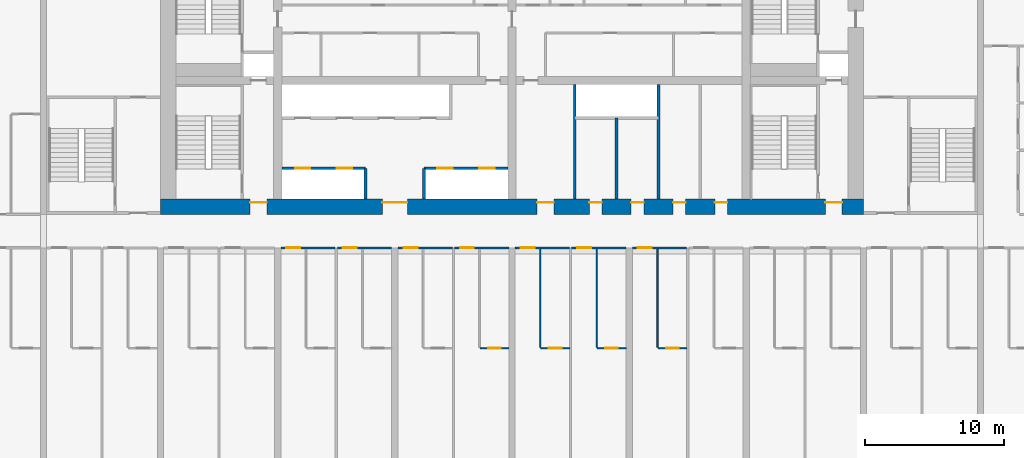
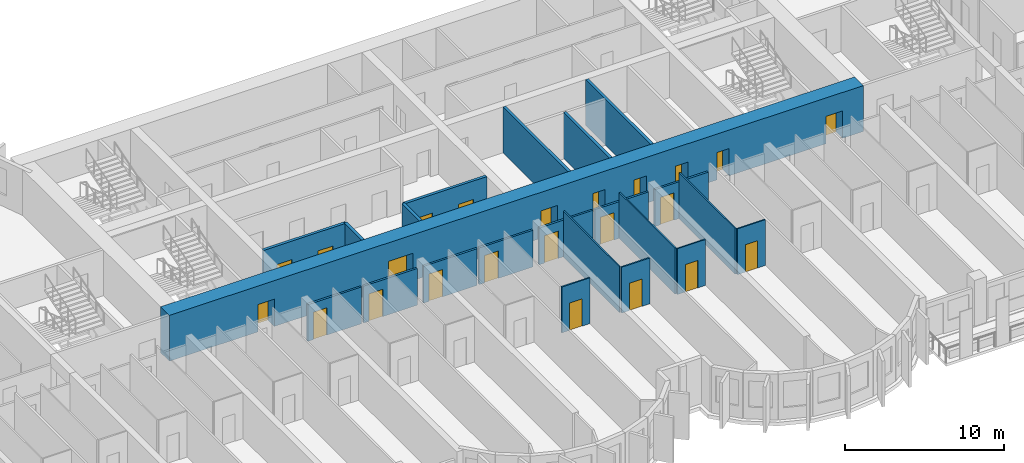
# One storey, part 5 of 15: 23 doors, 22 walls, 23 openings.
"""IFC4 building model written with IfcOpenShell, lengths in metres."""

from ifc_helpers import new_model, si_unit, direction, frame, frame_2d, origin, place, context, subcontext, project, spatial, rectangle, extrude, source, transform, mapped, material, layer, layer_set, type_object, element, fill, save


model = new_model("IFC4")

# Units and contexts
model_context = context("Model", 3, precision=1e-05, world=origin(), true_north=direction((0.0, 1.0)))
body_context = subcontext(model_context, "Body", "Model", "MODEL_VIEW")
ifc_project = project(units=[si_unit("LENGTHUNIT", "METRE"), si_unit("AREAUNIT", "SQUARE_METRE"), si_unit("VOLUMEUNIT", "CUBIC_METRE"), si_unit("PLANEANGLEUNIT", "RADIAN"), si_unit("MASSUNIT", "GRAM", prefix="KILO")], contexts=[model_context])

# Site, building, storey
site_placement = place(None, origin())
site = spatial("IfcSite", under=ifc_project, at=site_placement, CompositionType="ELEMENT")
building_placement = place(site_placement, origin())
building = spatial("IfcBuilding", under=site, at=building_placement, Name="Vanashikhar Sky Hotel", CompositionType="ELEMENT")
storey_placement = place(building_placement, frame((0.0, 0.0, 35.39990234375)))
storey = spatial("IfcBuildingStorey", under=building, at=storey_placement, Name="L07", CompositionType="ELEMENT", Elevation=35.39990234375)

# Wall, openings, doors
ifc_material_1 = material(Name="Concrete M80", Category="concrete")
ifc_layer_1 = layer(ifc_material_1, 1.10009765625)
ifc_layer_set_1 = layer_set([ifc_layer_1], Name="RC core shell wall 1100 Concrete M80")
wall_type_1 = type_object("IfcWallType", Name="RC core shell wall 1100 Concrete M80", PredefinedType="SHEAR", material=ifc_layer_set_1)
shared_shape_1 = source(origin(), body_context, "Body", "SweptSolid", [
    extrude(rectangle(XDim=50.400146484375, YDim=1.10009765625, at=frame_2d((25.2001953125, 0.0))), origin(), (0.0, 0.0, 1.0), 3.52001953125),
])
wall_1_placement = place(storey_placement, frame((25.199951171875, 22.550048828125, 0.0), z_axis=(0.0, 0.0, 1.0), x_axis=(1.0, 0.0, 0.0)))
wall_1 = element("IfcWall", 1, at=wall_1_placement, inside=storey, type_object=wall_type_1, Name="KW-L07-KS", PredefinedType="SHEAR", context=body_context, shape_type="MappedRepresentation", body=[
    mapped(shared_shape_1, transform((0.0, 0.0, 0.0), scale=1.0)),
])
shared_shape_2 = source(origin(), body_context, "Body", "SweptSolid", [
    extrude(rectangle(XDim=1.800048828125, YDim=2.10009765625, at=frame_2d((0.89990234375, 1.050048828125))), frame((0.0, 0.56005859375, 0.0), z_axis=(0.0, -1.0, 0.0), x_axis=(1.0, 0.0, 0.0)), (0.0, 0.0, 1.0), 1.1201171875),
])
opening_1_placement = place(wall_1_placement, frame((15.89990234375, 0.0, 0.0)))
opening_1 = element("IfcOpeningElement", 2, at=opening_1_placement, cuts=wall_1, Name="Opening DC-3-A", PredefinedType="OPENING", context=body_context, shape_type="MappedRepresentation", body=[
    mapped(shared_shape_2, transform((0.0, 0.0, 0.0), scale=1.0)),
])
shared_shape_3 = source(origin(), body_context, "Body", "SweptSolid", [
    extrude(rectangle(XDim=1.199951171875, YDim=2.10009765625, at=frame_2d((0.60009765625, 1.050048828125))), frame((0.0, 0.56005859375, 0.0), z_axis=(0.0, -1.0, 0.0), x_axis=(1.0, 0.0, 0.0)), (0.0, 0.0, 1.0), 1.1201171875),
])
opening_2_placement = place(wall_1_placement, frame((27.0, 0.0, 0.0)))
opening_2 = element("IfcOpeningElement", 3, at=opening_2_placement, cuts=wall_1, Name="Opening DC-4-B", PredefinedType="OPENING", context=body_context, shape_type="MappedRepresentation", body=[
    mapped(shared_shape_3, transform((0.0, 0.0, 0.0), scale=1.0)),
])
shared_shape_4 = source(origin(), body_context, "Body", "SweptSolid", [
    extrude(rectangle(XDim=0.89990234375, YDim=2.10009765625, at=frame_2d((0.449951171875, 1.050048828125))), frame((0.0, 0.56005859375, 0.0), z_axis=(0.0, -1.0, 0.0), x_axis=(1.0, 0.0, 0.0)), (0.0, 0.0, 1.0), 1.1201171875),
])
opening_3_placement = place(wall_1_placement, frame((33.75, 0.0, 0.0)))
opening_3 = element("IfcOpeningElement", 4, at=opening_3_placement, cuts=wall_1, Name="Opening DC-4-A", PredefinedType="OPENING", context=body_context, shape_type="MappedRepresentation", body=[
    mapped(shared_shape_4, transform((0.0, 0.0, 0.0), scale=1.0)),
])
opening_4_placement = place(wall_1_placement, frame((30.75, 0.0, 0.0)))
opening_4 = element("IfcOpeningElement", 5, at=opening_4_placement, cuts=wall_1, Name="Opening DC-4-A", PredefinedType="OPENING", context=body_context, shape_type="MappedRepresentation", body=[
    mapped(shared_shape_4, transform((0.0, 0.0, 0.0), scale=1.0)),
])
opening_5_placement = place(wall_1_placement, frame((39.75, 0.0, 0.0)))
opening_5 = element("IfcOpeningElement", 6, at=opening_5_placement, cuts=wall_1, Name="Opening DC-4-A", PredefinedType="OPENING", context=body_context, shape_type="MappedRepresentation", body=[
    mapped(shared_shape_4, transform((0.0, 0.0, 0.0), scale=1.0)),
])
opening_6_placement = place(wall_1_placement, frame((36.75, 0.0, 0.0)))
opening_6 = element("IfcOpeningElement", 7, at=opening_6_placement, cuts=wall_1, Name="Opening DC-4-A", PredefinedType="OPENING", context=body_context, shape_type="MappedRepresentation", body=[
    mapped(shared_shape_4, transform((0.0, 0.0, 0.0), scale=1.0)),
])
opening_7_placement = place(wall_1_placement, frame((6.425048828125, 0.0, 0.0)))
opening_7 = element("IfcOpeningElement", 8, at=opening_7_placement, cuts=wall_1, Name="Opening DC-2", PredefinedType="OPENING", context=body_context, shape_type="MappedRepresentation", body=[
    mapped(shared_shape_3, transform((0.0, 0.0, 0.0), scale=1.0)),
])
opening_8_placement = place(wall_1_placement, frame((47.675048828125, 0.0, 0.0)))
opening_8 = element("IfcOpeningElement", 9, at=opening_8_placement, cuts=wall_1, Name="Opening DC-2", PredefinedType="OPENING", context=body_context, shape_type="MappedRepresentation", body=[
    mapped(shared_shape_3, transform((0.0, 0.0, 0.0), scale=1.0)),
])
ifc_material_2 = material(Name="Glass", Category="glass")
door_type_1 = type_object("IfcDoorType", Name="Lift lobby entrance door 1800 FD30S", OperationType="NOTDEFINED", PredefinedType="DOOR", material=ifc_material_2)
shared_shape_5 = source(origin(), body_context, "Body", "SweptSolid", [
    extrude(rectangle(XDim=1.800048828125, YDim=2.10009765625, at=frame_2d((0.89990234375, 1.050048828125))), frame((0.0, 0.3251953125, 0.0), z_axis=(0.0, -1.0, 0.0), x_axis=(1.0, 0.0, 0.0)), (0.0, 0.0, 1.0), 0.050048828125),
])
door_1_placement = place(opening_1_placement, origin())
door_1 = element("IfcDoor", 10, at=door_1_placement, inside=storey, type_object=door_type_1, Name="Lift lobby entrance door 1800 FD30S", OperationType="DOUBLE_DOOR_SINGLE_SWING", OverallHeight=2.10009765625, OverallWidth=1.800048828125, PredefinedType="DOOR", context=body_context, shape_type="MappedRepresentation", body=[
    mapped(shared_shape_5, transform((0.0, 0.0, 0.0), scale=1.0)),
])
fill(opening_1, door_1)
ifc_material_3 = material(Name="Steel", Category="steel")
door_type_2 = type_object("IfcDoorType", Name="Service door 1200 FD60", OperationType="NOTDEFINED", PredefinedType="DOOR", material=ifc_material_3)
shared_shape_6 = source(origin(), body_context, "Body", "SweptSolid", [
    extrude(rectangle(XDim=1.199951171875, YDim=2.10009765625, at=frame_2d((0.60009765625, 1.050048828125))), frame((0.0, 0.3251953125, 0.0), z_axis=(0.0, -1.0, 0.0), x_axis=(1.0, 0.0, 0.0)), (0.0, 0.0, 1.0), 0.050048828125),
])
door_2_placement = place(opening_2_placement, origin())
door_2 = element("IfcDoor", 11, at=door_2_placement, inside=storey, type_object=door_type_2, Name="Service door 1200 FD60", OperationType="SINGLE_SWING_RIGHT", OverallHeight=2.10009765625, OverallWidth=1.199951171875, PredefinedType="DOOR", context=body_context, shape_type="MappedRepresentation", body=[
    mapped(shared_shape_6, transform((0.0, 0.0, 0.0), scale=1.0)),
])
fill(opening_2, door_2)
door_type_3 = type_object("IfcDoorType", Name="Firefighting lobby door 1200 FD120", OperationType="NOTDEFINED", PredefinedType="DOOR", material=ifc_material_3)
door_3_placement = place(opening_7_placement, origin())
door_3 = element("IfcDoor", 12, at=door_3_placement, inside=storey, type_object=door_type_3, Name="Firefighting lobby door 1200 FD120", OperationType="SINGLE_SWING_LEFT", OverallHeight=2.10009765625, OverallWidth=1.199951171875, PredefinedType="DOOR", context=body_context, shape_type="MappedRepresentation", body=[
    mapped(shared_shape_6, transform((0.0, 0.0, 0.0), scale=1.0)),
])
fill(opening_7, door_3)
door_4_placement = place(opening_8_placement, origin())
door_4 = element("IfcDoor", 13, at=door_4_placement, inside=storey, type_object=door_type_3, Name="Firefighting lobby door 1200 FD120", OperationType="SINGLE_SWING_RIGHT", OverallHeight=2.10009765625, OverallWidth=1.199951171875, PredefinedType="DOOR", context=body_context, shape_type="MappedRepresentation", body=[
    mapped(shared_shape_6, transform((0.0, 0.0, 0.0), scale=1.0)),
])
fill(opening_8, door_4)
door_type_4 = type_object("IfcDoorType", Name="Service door 900 FD60", OperationType="NOTDEFINED", PredefinedType="DOOR", material=ifc_material_3)
shared_shape_7 = source(origin(), body_context, "Body", "SweptSolid", [
    extrude(rectangle(XDim=0.89990234375, YDim=2.10009765625, at=frame_2d((0.449951171875, 1.050048828125))), frame((0.0, 0.3251953125, 0.0), z_axis=(0.0, -1.0, 0.0), x_axis=(1.0, 0.0, 0.0)), (0.0, 0.0, 1.0), 0.050048828125),
])
door_5_placement = place(opening_3_placement, origin())
door_5 = element("IfcDoor", 14, at=door_5_placement, inside=storey, type_object=door_type_4, Name="Service door 900 FD60", OperationType="SINGLE_SWING_RIGHT", OverallHeight=2.10009765625, OverallWidth=0.89990234375, PredefinedType="DOOR", context=body_context, shape_type="MappedRepresentation", body=[
    mapped(shared_shape_7, transform((0.0, 0.0, 0.0), scale=1.0)),
])
fill(opening_3, door_5)
door_6_placement = place(opening_4_placement, origin())
door_6 = element("IfcDoor", 15, at=door_6_placement, inside=storey, type_object=door_type_4, Name="Service door 900 FD60", OperationType="SINGLE_SWING_LEFT", OverallHeight=2.10009765625, OverallWidth=0.89990234375, PredefinedType="DOOR", context=body_context, shape_type="MappedRepresentation", body=[
    mapped(shared_shape_7, transform((0.0, 0.0, 0.0), scale=1.0)),
])
fill(opening_4, door_6)
door_7_placement = place(opening_5_placement, origin())
door_7 = element("IfcDoor", 16, at=door_7_placement, inside=storey, type_object=door_type_4, Name="Service door 900 FD60", OperationType="SINGLE_SWING_RIGHT", OverallHeight=2.10009765625, OverallWidth=0.89990234375, PredefinedType="DOOR", context=body_context, shape_type="MappedRepresentation", body=[
    mapped(shared_shape_7, transform((0.0, 0.0, 0.0), scale=1.0)),
])
fill(opening_5, door_7)
door_8_placement = place(opening_6_placement, origin())
door_8 = element("IfcDoor", 17, at=door_8_placement, inside=storey, type_object=door_type_4, Name="Service door 900 FD60", OperationType="SINGLE_SWING_LEFT", OverallHeight=2.10009765625, OverallWidth=0.89990234375, PredefinedType="DOOR", context=body_context, shape_type="MappedRepresentation", body=[
    mapped(shared_shape_7, transform((0.0, 0.0, 0.0), scale=1.0)),
])
fill(opening_6, door_8)

ifc_material_4 = material(Name="Concrete M40", Category="concrete")
ifc_layer_2 = layer(ifc_material_4, 0.199951171875)
ifc_layer_set_2 = layer_set([ifc_layer_2], Name="Shaft wall 200")
wall_type_2 = type_object("IfcWallType", Name="Shaft wall 200", PredefinedType="SOLIDWALL", material=ifc_layer_set_2)
shared_shape_8 = source(origin(), body_context, "Body", "SweptSolid", [
    extrude(rectangle(XDim=6.0, YDim=0.199951171875, at=frame_2d((3.0, 0.0))), origin(), (0.0, 0.0, 1.0), 3.52001953125),
])
wall_2_placement = place(storey_placement, frame((33.89990234375, 25.300048828125, 0.0), z_axis=(0.0, 0.0, 1.0), x_axis=(1.0, 0.0, 0.0)))
wall_2 = element("IfcWall", 18, at=wall_2_placement, inside=storey, type_object=wall_type_2, Name="Shaft wall 200", PredefinedType="SOLIDWALL", context=body_context, shape_type="MappedRepresentation", body=[
    mapped(shared_shape_8, transform((0.0, 0.0, 0.0), scale=1.0)),
])
shared_shape_9 = source(origin(), body_context, "Body", "SweptSolid", [
    extrude(rectangle(XDim=1.10009765625, YDim=2.10009765625, at=frame_2d((0.550048828125, 1.050048828125))), frame((0.0, 0.10986328125, 0.0), z_axis=(0.0, -1.0, 0.0), x_axis=(1.0, 0.0, 0.0)), (0.0, 0.0, 1.0), 0.219970703125),
])
opening_9_placement = place(wall_2_placement, frame((0.949951171875, 0.0, 0.0)))
opening_9 = element("IfcOpeningElement", 19, at=opening_9_placement, cuts=wall_2, Name="Opening LD", PredefinedType="OPENING", context=body_context, shape_type="MappedRepresentation", body=[
    mapped(shared_shape_9, transform((0.0, 0.0, 0.0), scale=1.0)),
])
opening_10_placement = place(wall_2_placement, frame((3.949951171875, 0.0, 0.0)))
opening_10 = element("IfcOpeningElement", 20, at=opening_10_placement, cuts=wall_2, Name="Opening LD", PredefinedType="OPENING", context=body_context, shape_type="MappedRepresentation", body=[
    mapped(shared_shape_9, transform((0.0, 0.0, 0.0), scale=1.0)),
])
ifc_material_5 = material(Name="Stainless steel", Category="steel")
door_type_5 = type_object("IfcDoorType", Name="Lift landing door 1100", OperationType="NOTDEFINED", PredefinedType="DOOR", material=ifc_material_5)
shared_shape_10 = source(origin(), body_context, "Body", "SweptSolid", [
    extrude(rectangle(XDim=1.10009765625, YDim=2.10009765625, at=frame_2d((0.550048828125, 1.050048828125))), frame((0.0, 0.02490234375, 0.0), z_axis=(0.0, -1.0, 0.0), x_axis=(1.0, 0.0, 0.0)), (0.0, 0.0, 1.0), 0.050048828125),
])
door_9_placement = place(opening_9_placement, origin())
door_9 = element("IfcDoor", 21, at=door_9_placement, inside=storey, type_object=door_type_5, Name="Lift landing door 1100", OperationType="SLIDING_TO_LEFT", OverallHeight=2.10009765625, OverallWidth=1.10009765625, PredefinedType="DOOR", context=body_context, shape_type="MappedRepresentation", body=[
    mapped(shared_shape_10, transform((0.0, 0.0, 0.0), scale=1.0)),
])
fill(opening_9, door_9)
door_10_placement = place(opening_10_placement, origin())
door_10 = element("IfcDoor", 22, at=door_10_placement, inside=storey, type_object=door_type_5, Name="Lift landing door 1100", OperationType="SLIDING_TO_RIGHT", OverallHeight=2.10009765625, OverallWidth=1.10009765625, PredefinedType="DOOR", context=body_context, shape_type="MappedRepresentation", body=[
    mapped(shared_shape_10, transform((0.0, 0.0, 0.0), scale=1.0)),
])
fill(opening_10, door_10)

wall_3_placement = place(storey_placement, frame((44.10009765625, 25.300048828125, 0.0), z_axis=(0.0, 0.0, 1.0), x_axis=(1.0, 0.0, 0.0)))
wall_3 = element("IfcWall", 23, at=wall_3_placement, inside=storey, type_object=wall_type_2, Name="Shaft wall 200", PredefinedType="SOLIDWALL", context=body_context, shape_type="MappedRepresentation", body=[
    mapped(shared_shape_8, transform((0.0, 0.0, 0.0), scale=1.0)),
])
opening_11_placement = place(wall_3_placement, frame((0.949951171875, 0.0, 0.0)))
opening_11 = element("IfcOpeningElement", 24, at=opening_11_placement, cuts=wall_3, Name="Opening LD", PredefinedType="OPENING", context=body_context, shape_type="MappedRepresentation", body=[
    mapped(shared_shape_9, transform((0.0, 0.0, 0.0), scale=1.0)),
])
opening_12_placement = place(wall_3_placement, frame((3.949951171875, 0.0, 0.0)))
opening_12 = element("IfcOpeningElement", 25, at=opening_12_placement, cuts=wall_3, Name="Opening LD", PredefinedType="OPENING", context=body_context, shape_type="MappedRepresentation", body=[
    mapped(shared_shape_9, transform((0.0, 0.0, 0.0), scale=1.0)),
])
door_11_placement = place(opening_11_placement, origin())
door_11 = element("IfcDoor", 26, at=door_11_placement, inside=storey, type_object=door_type_5, Name="Lift landing door 1100", OperationType="SLIDING_TO_LEFT", OverallHeight=2.10009765625, OverallWidth=1.10009765625, PredefinedType="DOOR", context=body_context, shape_type="MappedRepresentation", body=[
    mapped(shared_shape_10, transform((0.0, 0.0, 0.0), scale=1.0)),
])
fill(opening_11, door_11)
door_12_placement = place(opening_12_placement, origin())
door_12 = element("IfcDoor", 27, at=door_12_placement, inside=storey, type_object=door_type_5, Name="Lift landing door 1100", OperationType="SLIDING_TO_RIGHT", OverallHeight=2.10009765625, OverallWidth=1.10009765625, PredefinedType="DOOR", context=body_context, shape_type="MappedRepresentation", body=[
    mapped(shared_shape_10, transform((0.0, 0.0, 0.0), scale=1.0)),
])
fill(opening_12, door_12)

# Walls
shared_shape_11 = source(origin(), body_context, "Body", "SweptSolid", [
    extrude(rectangle(XDim=2.199951171875, YDim=0.199951171875, at=frame_2d((1.10009765625, 0.0))), origin(), (0.0, 0.0, 1.0), 3.52001953125),
])
for number, where, z_axis, x_axis, name in (
    (28, (39.89990234375, 23.10009765625, 0.0), (0.0, 0.0, 1.0), (0.0, 1.0, 0.0), "Shaft wall 200"),
    (29, (44.10009765625, 23.10009765625, 0.0), (0.0, 0.0, 1.0), (0.0, 1.0, 0.0), "Shaft wall 200"),
):
    element("IfcWall", number, at=place(storey_placement, frame(where, z_axis=z_axis, x_axis=x_axis)), inside=storey, type_object=wall_type_2, Name=name, PredefinedType="SOLIDWALL", context=body_context, shape_type="MappedRepresentation", body=[
        mapped(shared_shape_11, transform((0.0, 0.0, 0.0), scale=1.0)),
    ])
ifc_material_6 = material(Name="Gypsum board partition")
ifc_layer_3 = layer(ifc_material_6, 0.14990234375)
ifc_layer_set_3 = layer_set([ifc_layer_3], Name="Service partition 150")
wall_type_3 = type_object("IfcWallType", Name="Service partition 150", PredefinedType="PARTITIONING", material=ifc_layer_set_3)
shared_shape_12 = source(origin(), body_context, "Body", "SweptSolid", [
    extrude(rectangle(XDim=8.199951171875, YDim=0.199951171875, at=frame_2d((4.10009765625, 0.0))), origin(), (0.0, 0.0, 1.0), 3.52001953125),
])
for number, where, z_axis, x_axis, name in (
    (30, (54.89990234375, 23.10009765625, 0.0), (0.0, 0.0, 1.0), (0.0, 1.0, 0.0), "Service partition 150"),
    (31, (60.89990234375, 23.10009765625, 0.0), (0.0, 0.0, 1.0), (0.0, 1.0, 0.0), "Service partition 150"),
):
    element("IfcWall", number, at=place(storey_placement, frame(where, z_axis=z_axis, x_axis=x_axis)), inside=storey, type_object=wall_type_3, Name=name, PredefinedType="PARTITIONING", context=body_context, shape_type="MappedRepresentation", body=[
        mapped(shared_shape_12, transform((0.0, 0.0, 0.0), scale=1.0)),
    ])
shared_shape_13 = source(origin(), body_context, "Body", "SweptSolid", [
    extrude(rectangle(XDim=5.7998046875, YDim=0.199951171875, at=frame_2d((2.89990234375, 0.0))), origin(), (0.0, 0.0, 1.0), 3.52001953125),
])
wall_4_placement = place(storey_placement, frame((57.89990234375, 23.10009765625, 0.0), z_axis=(0.0, 0.0, 1.0), x_axis=(0.0, 1.0, 0.0)))
element("IfcWall", 32, at=wall_4_placement, inside=storey, type_object=wall_type_3, Name="Service partition 150", PredefinedType="PARTITIONING", context=body_context, shape_type="MappedRepresentation", body=[
    mapped(shared_shape_13, transform((0.0, 0.0, 0.0), scale=1.0)),
])
ifc_material_7 = material(Name="Gypsum plasterboard partition")
ifc_layer_4 = layer(ifc_material_7, 0.10009765625)
ifc_layer_set_4 = layer_set([ifc_layer_4], Name="Wet room partition 100")
wall_type_4 = type_object("IfcWallType", Name="Wet room partition 100", PredefinedType="PARTITIONING", material=ifc_layer_set_4)
shared_shape_14 = source(origin(), body_context, "Body", "SweptSolid", [
    extrude(rectangle(XDim=7.0498046875, YDim=0.10009765625, at=frame_2d((3.52490234375, 0.0))), origin(), (0.0, 0.0, 1.0), 3.52001953125),
])
for number, where, z_axis, x_axis, name in (
    (33, (52.425048828125, 12.47509765625, 0.0), (0.0, 0.0, 1.0), (0.0, 1.0, 0.0), "W-L07-PW043"),
    (34, (56.47509765625, 12.47509765625, 0.0), (0.0, 0.0, 1.0), (0.0, 1.0, 0.0), "W-L07-PW046"),
    (35, (60.824951171875, 12.47509765625, 0.0), (0.0, 0.0, 1.0), (0.0, 1.0, 0.0), "W-L07-PW050"),
):
    element("IfcWall", number, at=place(storey_placement, frame(where, z_axis=z_axis, x_axis=x_axis)), inside=storey, type_object=wall_type_4, Name=name, PredefinedType="PARTITIONING", context=body_context, shape_type="MappedRepresentation", body=[
        mapped(shared_shape_14, transform((0.0, 0.0, 0.0), scale=1.0)),
    ])

# Wall, opening, door
shared_shape_15 = source(origin(), body_context, "Body", "SweptSolid", [
    extrude(rectangle(XDim=2.050048828125, YDim=0.10009765625, at=frame_2d((1.02490234375, 0.0))), origin(), (0.0, 0.0, 1.0), 3.52001953125),
])
wall_5_placement = place(storey_placement, frame((48.125, 12.39990234375, 0.0), z_axis=(0.0, 0.0, 1.0), x_axis=(1.0, 0.0, 0.0)))
wall_5 = element("IfcWall", 36, at=wall_5_placement, inside=storey, type_object=wall_type_4, Name="W-L07-PW040", PredefinedType="PARTITIONING", context=body_context, shape_type="MappedRepresentation", body=[
    mapped(shared_shape_15, transform((0.0, 0.0, 0.0), scale=1.0)),
])
shared_shape_16 = source(origin(), body_context, "Body", "SweptSolid", [
    extrude(rectangle(XDim=0.89990234375, YDim=2.10009765625, at=frame_2d((0.449951171875, 1.050048828125))), frame((0.0, 0.06005859375, 0.0), z_axis=(0.0, -1.0, 0.0), x_axis=(1.0, 0.0, 0.0)), (0.0, 0.0, 1.0), 0.1201171875),
])
opening_13_placement = place(wall_5_placement, frame((0.574951171875, 0.0, 0.0)))
opening_13 = element("IfcOpeningElement", 37, at=opening_13_placement, cuts=wall_5, Name="Opening D-02", PredefinedType="OPENING", context=body_context, shape_type="MappedRepresentation", body=[
    mapped(shared_shape_16, transform((0.0, 0.0, 0.0), scale=1.0)),
])
ifc_material_8 = material(Name="Timber door", Category="wood")
door_type_6 = type_object("IfcDoorType", Name="Internal door 900", OperationType="NOTDEFINED", PredefinedType="DOOR", material=ifc_material_8)
shared_shape_17 = source(origin(), body_context, "Body", "SweptSolid", [
    extrude(rectangle(XDim=0.89990234375, YDim=2.10009765625, at=frame_2d((0.449951171875, 1.050048828125))), frame((0.0, 0.02490234375, 0.0), z_axis=(0.0, -1.0, 0.0), x_axis=(1.0, 0.0, 0.0)), (0.0, 0.0, 1.0), 0.050048828125),
])
door_13_placement = place(opening_13_placement, origin())
door_13 = element("IfcDoor", 38, at=door_13_placement, inside=storey, type_object=door_type_6, Name="D-L07-023", OperationType="SINGLE_SWING_LEFT", OverallHeight=2.10009765625, OverallWidth=0.89990234375, PredefinedType="DOOR", context=body_context, shape_type="MappedRepresentation", body=[
    mapped(shared_shape_17, transform((0.0, 0.0, 0.0), scale=1.0)),
])
fill(opening_13, door_13)

wall_6_placement = place(storey_placement, frame((56.52490234375, 12.39990234375, 0.0), z_axis=(0.0, 0.0, 1.0), x_axis=(1.0, 0.0, 0.0)))
wall_6 = element("IfcWall", 39, at=wall_6_placement, inside=storey, type_object=wall_type_4, Name="W-L07-PW047", PredefinedType="PARTITIONING", context=body_context, shape_type="MappedRepresentation", body=[
    mapped(shared_shape_15, transform((0.0, 0.0, 0.0), scale=1.0)),
])
opening_14_placement = place(wall_6_placement, frame((0.574951171875, 0.0, 0.0)))
opening_14 = element("IfcOpeningElement", 40, at=opening_14_placement, cuts=wall_6, Name="Opening D-02", PredefinedType="OPENING", context=body_context, shape_type="MappedRepresentation", body=[
    mapped(shared_shape_16, transform((0.0, 0.0, 0.0), scale=1.0)),
])
door_14_placement = place(opening_14_placement, origin())
door_14 = element("IfcDoor", 41, at=door_14_placement, inside=storey, type_object=door_type_6, Name="D-L07-027", OperationType="SINGLE_SWING_LEFT", OverallHeight=2.10009765625, OverallWidth=0.89990234375, PredefinedType="DOOR", context=body_context, shape_type="MappedRepresentation", body=[
    mapped(shared_shape_17, transform((0.0, 0.0, 0.0), scale=1.0)),
])
fill(opening_14, door_14)

wall_7_placement = place(storey_placement, frame((60.875, 12.39990234375, 0.0), z_axis=(0.0, 0.0, 1.0), x_axis=(1.0, 0.0, 0.0)))
wall_7 = element("IfcWall", 42, at=wall_7_placement, inside=storey, type_object=wall_type_4, Name="W-L07-PW051", PredefinedType="PARTITIONING", context=body_context, shape_type="MappedRepresentation", body=[
    mapped(shared_shape_15, transform((0.0, 0.0, 0.0), scale=1.0)),
])
opening_15_placement = place(wall_7_placement, frame((0.574951171875, 0.0, 0.0)))
opening_15 = element("IfcOpeningElement", 43, at=opening_15_placement, cuts=wall_7, Name="Opening D-02", PredefinedType="OPENING", context=body_context, shape_type="MappedRepresentation", body=[
    mapped(shared_shape_16, transform((0.0, 0.0, 0.0), scale=1.0)),
])
door_15_placement = place(opening_15_placement, origin())
door_15 = element("IfcDoor", 44, at=door_15_placement, inside=storey, type_object=door_type_6, Name="D-L07-029", OperationType="SINGLE_SWING_LEFT", OverallHeight=2.10009765625, OverallWidth=0.89990234375, PredefinedType="DOOR", context=body_context, shape_type="MappedRepresentation", body=[
    mapped(shared_shape_17, transform((0.0, 0.0, 0.0), scale=1.0)),
])
fill(opening_15, door_15)

ifc_layer_5 = layer(ifc_material_7, 0.14990234375)
ifc_layer_set_5 = layer_set([ifc_layer_5], Name="Corridor and demising partition 150")
wall_type_5 = type_object("IfcWallType", Name="Corridor and demising partition 150", PredefinedType="PARTITIONING", material=ifc_layer_set_5)
shared_shape_18 = source(origin(), body_context, "Body", "SweptSolid", [
    extrude(rectangle(XDim=3.900146484375, YDim=0.14990234375, at=frame_2d((1.9501953125, 0.0))), origin(), (0.0, 0.0, 1.0), 2.820068359375),
])
wall_8_placement = place(storey_placement, frame((33.824951171875, 19.60009765625, 0.0), z_axis=(0.0, 0.0, 1.0), x_axis=(1.0, 0.0, 0.0)))
wall_8 = element("IfcWall", 45, at=wall_8_placement, inside=storey, type_object=wall_type_5, Name="W-L07-PW031", PredefinedType="PARTITIONING", context=body_context, shape_type="MappedRepresentation", body=[
    mapped(shared_shape_18, transform((0.0, 0.0, 0.0), scale=1.0)),
])
shared_shape_19 = source(origin(), body_context, "Body", "SweptSolid", [
    extrude(rectangle(XDim=1.0, YDim=2.10009765625, at=frame_2d((0.5, 1.050048828125))), frame((0.0, 0.0849609375, 0.0), z_axis=(0.0, -1.0, 0.0), x_axis=(1.0, 0.0, 0.0)), (0.0, 0.0, 1.0), 0.169921875),
])
opening_16_placement = place(wall_8_placement, frame((0.39990234375, 0.0, 0.0)))
opening_16 = element("IfcOpeningElement", 46, at=opening_16_placement, cuts=wall_8, Name="Opening D-01", PredefinedType="OPENING", context=body_context, shape_type="MappedRepresentation", body=[
    mapped(shared_shape_19, transform((0.0, 0.0, 0.0), scale=1.0)),
])
ifc_material_9 = material(Name="Timber fire door", Category="wood")
door_type_7 = type_object("IfcDoorType", Name="Guest entry door 1000 FD30S", OperationType="NOTDEFINED", PredefinedType="DOOR", material=ifc_material_9)
shared_shape_20 = source(origin(), body_context, "Body", "SweptSolid", [
    extrude(rectangle(XDim=1.0, YDim=2.10009765625, at=frame_2d((0.5, 1.050048828125))), frame((0.0, 0.02490234375, 0.0), z_axis=(0.0, -1.0, 0.0), x_axis=(1.0, 0.0, 0.0)), (0.0, 0.0, 1.0), 0.050048828125),
])
door_16_placement = place(opening_16_placement, origin())
door_16 = element("IfcDoor", 47, at=door_16_placement, inside=storey, type_object=door_type_7, Name="D-L07-018", OperationType="SINGLE_SWING_LEFT", OverallHeight=2.10009765625, OverallWidth=1.0, PredefinedType="DOOR", context=body_context, shape_type="MappedRepresentation", body=[
    mapped(shared_shape_20, transform((0.0, 0.0, 0.0), scale=1.0)),
])
fill(opening_16, door_16)

wall_9_placement = place(storey_placement, frame((46.27490234375, 19.60009765625, 0.0), z_axis=(0.0, 0.0, 1.0), x_axis=(1.0, 0.0, 0.0)))
wall_9 = element("IfcWall", 48, at=wall_9_placement, inside=storey, type_object=wall_type_5, Name="W-L07-PW041", PredefinedType="PARTITIONING", context=body_context, shape_type="MappedRepresentation", body=[
    mapped(shared_shape_18, transform((0.0, 0.0, 0.0), scale=1.0)),
])
opening_17_placement = place(wall_9_placement, frame((0.39990234375, 0.0, 0.0)))
opening_17 = element("IfcOpeningElement", 49, at=opening_17_placement, cuts=wall_9, Name="Opening D-01", PredefinedType="OPENING", context=body_context, shape_type="MappedRepresentation", body=[
    mapped(shared_shape_19, transform((0.0, 0.0, 0.0), scale=1.0)),
])
door_17_placement = place(opening_17_placement, origin())
door_17 = element("IfcDoor", 50, at=door_17_placement, inside=storey, type_object=door_type_7, Name="D-L07-024", OperationType="SINGLE_SWING_LEFT", OverallHeight=2.10009765625, OverallWidth=1.0, PredefinedType="DOOR", context=body_context, shape_type="MappedRepresentation", body=[
    mapped(shared_shape_20, transform((0.0, 0.0, 0.0), scale=1.0)),
])
fill(opening_17, door_17)

wall_10_placement = place(storey_placement, frame((59.02490234375, 19.60009765625, 0.0), z_axis=(0.0, 0.0, 1.0), x_axis=(1.0, 0.0, 0.0)))
wall_10 = element("IfcWall", 51, at=wall_10_placement, inside=storey, type_object=wall_type_5, Name="W-L07-PW052", PredefinedType="PARTITIONING", context=body_context, shape_type="MappedRepresentation", body=[
    mapped(shared_shape_18, transform((0.0, 0.0, 0.0), scale=1.0)),
])
opening_18_placement = place(wall_10_placement, frame((0.39990234375, 0.0, 0.0)))
opening_18 = element("IfcOpeningElement", 52, at=opening_18_placement, cuts=wall_10, Name="Opening D-01", PredefinedType="OPENING", context=body_context, shape_type="MappedRepresentation", body=[
    mapped(shared_shape_19, transform((0.0, 0.0, 0.0), scale=1.0)),
])
door_18_placement = place(opening_18_placement, origin())
door_18 = element("IfcDoor", 53, at=door_18_placement, inside=storey, type_object=door_type_7, Name="D-L07-030", OperationType="SINGLE_SWING_LEFT", OverallHeight=2.10009765625, OverallWidth=1.0, PredefinedType="DOOR", context=body_context, shape_type="MappedRepresentation", body=[
    mapped(shared_shape_20, transform((0.0, 0.0, 0.0), scale=1.0)),
])
fill(opening_18, door_18)

shared_shape_21 = source(origin(), body_context, "Body", "SweptSolid", [
    extrude(rectangle(XDim=2.0498046875, YDim=0.10009765625, at=frame_2d((1.02490234375, 0.0))), origin(), (0.0, 0.0, 1.0), 3.52001953125),
])
wall_11_placement = place(storey_placement, frame((52.47509765625, 12.39990234375, 0.0), z_axis=(0.0, 0.0, 1.0), x_axis=(1.0, 0.0, 0.0)))
wall_11 = element("IfcWall", 54, at=wall_11_placement, inside=storey, type_object=wall_type_4, Name="W-L07-PW044", PredefinedType="PARTITIONING", context=body_context, shape_type="MappedRepresentation", body=[
    mapped(shared_shape_21, transform((0.0, 0.0, 0.0), scale=1.0)),
])
opening_19_placement = place(wall_11_placement, frame((0.574951171875, 0.0, 0.0)))
opening_19 = element("IfcOpeningElement", 55, at=opening_19_placement, cuts=wall_11, Name="Opening D-02", PredefinedType="OPENING", context=body_context, shape_type="MappedRepresentation", body=[
    mapped(shared_shape_16, transform((0.0, 0.0, 0.0), scale=1.0)),
])
door_19_placement = place(opening_19_placement, origin())
door_19 = element("IfcDoor", 56, at=door_19_placement, inside=storey, type_object=door_type_6, Name="D-L07-025", OperationType="SINGLE_SWING_LEFT", OverallHeight=2.10009765625, OverallWidth=0.89990234375, PredefinedType="DOOR", context=body_context, shape_type="MappedRepresentation", body=[
    mapped(shared_shape_17, transform((0.0, 0.0, 0.0), scale=1.0)),
])
fill(opening_19, door_19)

shared_shape_22 = source(origin(), body_context, "Body", "SweptSolid", [
    extrude(rectangle(XDim=3.89990234375, YDim=0.14990234375, at=frame_2d((1.949951171875, 0.0))), origin(), (0.0, 0.0, 1.0), 2.820068359375),
])
wall_12_placement = place(storey_placement, frame((37.875, 19.60009765625, 0.0), z_axis=(0.0, 0.0, 1.0), x_axis=(1.0, 0.0, 0.0)))
wall_12 = element("IfcWall", 57, at=wall_12_placement, inside=storey, type_object=wall_type_5, Name="W-L07-PW034", PredefinedType="PARTITIONING", context=body_context, shape_type="MappedRepresentation", body=[
    mapped(shared_shape_22, transform((0.0, 0.0, 0.0), scale=1.0)),
])
opening_20_placement = place(wall_12_placement, frame((0.39990234375, 0.0, 0.0)))
opening_20 = element("IfcOpeningElement", 58, at=opening_20_placement, cuts=wall_12, Name="Opening D-01", PredefinedType="OPENING", context=body_context, shape_type="MappedRepresentation", body=[
    mapped(shared_shape_19, transform((0.0, 0.0, 0.0), scale=1.0)),
])
door_20_placement = place(opening_20_placement, origin())
door_20 = element("IfcDoor", 59, at=door_20_placement, inside=storey, type_object=door_type_7, Name="D-L07-020", OperationType="SINGLE_SWING_LEFT", OverallHeight=2.10009765625, OverallWidth=1.0, PredefinedType="DOOR", context=body_context, shape_type="MappedRepresentation", body=[
    mapped(shared_shape_20, transform((0.0, 0.0, 0.0), scale=1.0)),
])
fill(opening_20, door_20)

wall_13_placement = place(storey_placement, frame((42.22509765625, 19.60009765625, 0.0), z_axis=(0.0, 0.0, 1.0), x_axis=(1.0, 0.0, 0.0)))
wall_13 = element("IfcWall", 60, at=wall_13_placement, inside=storey, type_object=wall_type_5, Name="W-L07-PW038", PredefinedType="PARTITIONING", context=body_context, shape_type="MappedRepresentation", body=[
    mapped(shared_shape_22, transform((0.0, 0.0, 0.0), scale=1.0)),
])
opening_21_placement = place(wall_13_placement, frame((0.39990234375, 0.0, 0.0)))
opening_21 = element("IfcOpeningElement", 61, at=opening_21_placement, cuts=wall_13, Name="Opening D-01", PredefinedType="OPENING", context=body_context, shape_type="MappedRepresentation", body=[
    mapped(shared_shape_19, transform((0.0, 0.0, 0.0), scale=1.0)),
])
door_21_placement = place(opening_21_placement, origin())
door_21 = element("IfcDoor", 62, at=door_21_placement, inside=storey, type_object=door_type_7, Name="D-L07-022", OperationType="SINGLE_SWING_LEFT", OverallHeight=2.10009765625, OverallWidth=1.0, PredefinedType="DOOR", context=body_context, shape_type="MappedRepresentation", body=[
    mapped(shared_shape_20, transform((0.0, 0.0, 0.0), scale=1.0)),
])
fill(opening_21, door_21)

wall_14_placement = place(storey_placement, frame((50.625, 19.60009765625, 0.0), z_axis=(0.0, 0.0, 1.0), x_axis=(1.0, 0.0, 0.0)))
wall_14 = element("IfcWall", 63, at=wall_14_placement, inside=storey, type_object=wall_type_5, Name="W-L07-PW045", PredefinedType="PARTITIONING", context=body_context, shape_type="MappedRepresentation", body=[
    mapped(shared_shape_22, transform((0.0, 0.0, 0.0), scale=1.0)),
])
opening_22_placement = place(wall_14_placement, frame((0.39990234375, 0.0, 0.0)))
opening_22 = element("IfcOpeningElement", 64, at=opening_22_placement, cuts=wall_14, Name="Opening D-01", PredefinedType="OPENING", context=body_context, shape_type="MappedRepresentation", body=[
    mapped(shared_shape_19, transform((0.0, 0.0, 0.0), scale=1.0)),
])
door_22_placement = place(opening_22_placement, origin())
door_22 = element("IfcDoor", 65, at=door_22_placement, inside=storey, type_object=door_type_7, Name="D-L07-026", OperationType="SINGLE_SWING_LEFT", OverallHeight=2.10009765625, OverallWidth=1.0, PredefinedType="DOOR", context=body_context, shape_type="MappedRepresentation", body=[
    mapped(shared_shape_20, transform((0.0, 0.0, 0.0), scale=1.0)),
])
fill(opening_22, door_22)

wall_15_placement = place(storey_placement, frame((54.675048828125, 19.60009765625, 0.0), z_axis=(0.0, 0.0, 1.0), x_axis=(1.0, 0.0, 0.0)))
wall_15 = element("IfcWall", 66, at=wall_15_placement, inside=storey, type_object=wall_type_5, Name="W-L07-PW048", PredefinedType="PARTITIONING", context=body_context, shape_type="MappedRepresentation", body=[
    mapped(shared_shape_22, transform((0.0, 0.0, 0.0), scale=1.0)),
])
opening_23_placement = place(wall_15_placement, frame((0.39990234375, 0.0, 0.0)))
opening_23 = element("IfcOpeningElement", 67, at=opening_23_placement, cuts=wall_15, Name="Opening D-01", PredefinedType="OPENING", context=body_context, shape_type="MappedRepresentation", body=[
    mapped(shared_shape_19, transform((0.0, 0.0, 0.0), scale=1.0)),
])
door_23_placement = place(opening_23_placement, origin())
door_23 = element("IfcDoor", 68, at=door_23_placement, inside=storey, type_object=door_type_7, Name="D-L07-028", OperationType="SINGLE_SWING_LEFT", OverallHeight=2.10009765625, OverallWidth=1.0, PredefinedType="DOOR", context=body_context, shape_type="MappedRepresentation", body=[
    mapped(shared_shape_20, transform((0.0, 0.0, 0.0), scale=1.0)),
])
fill(opening_23, door_23)

save(model, "model.ifc")
